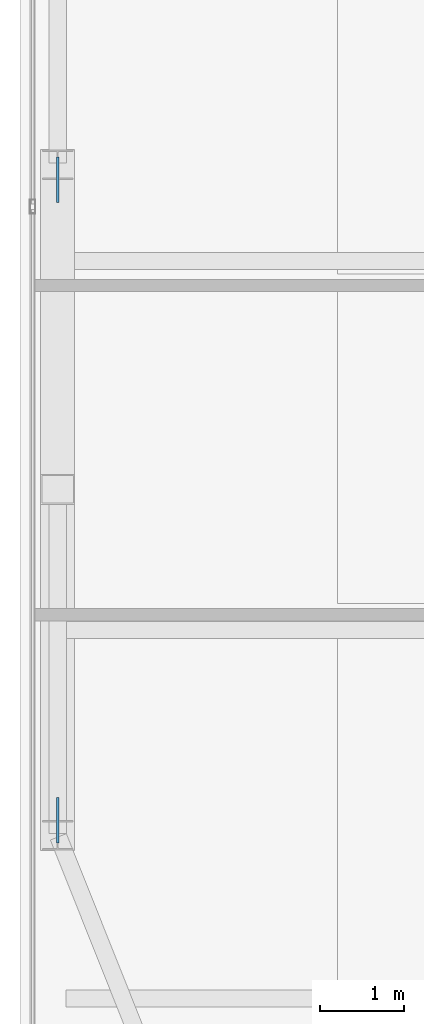
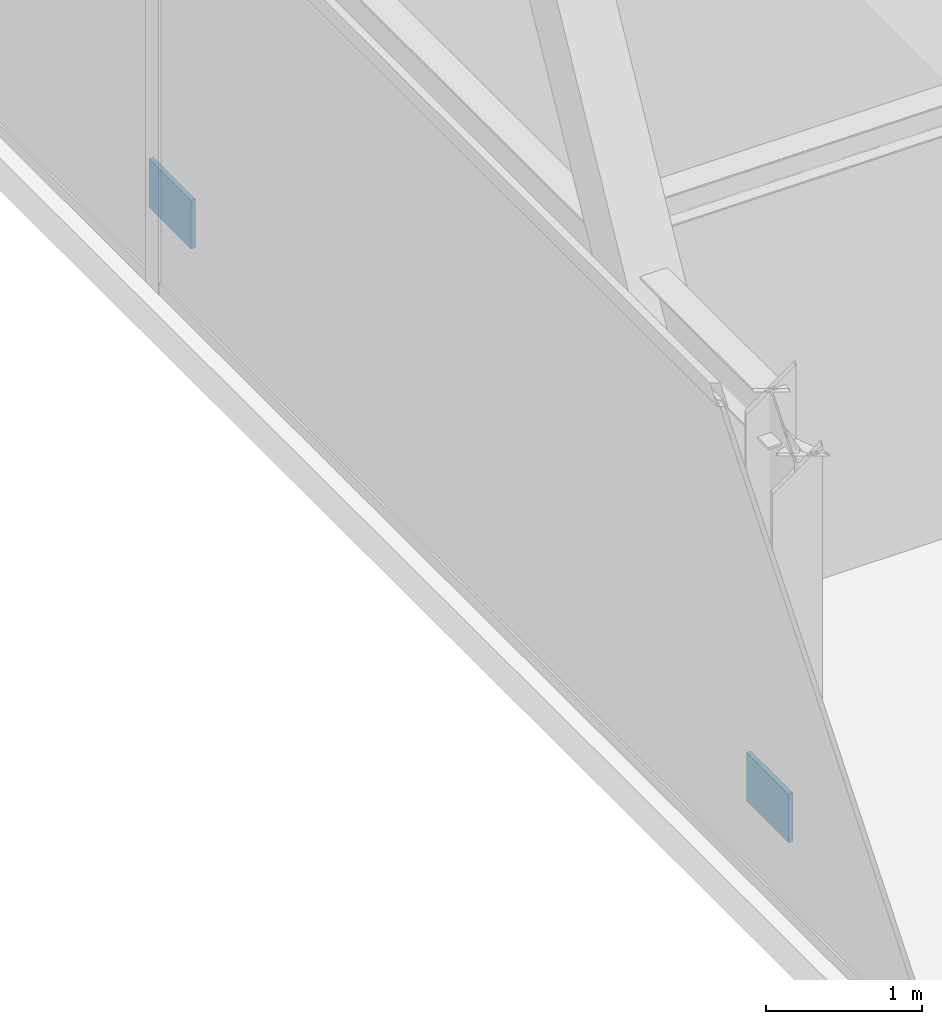
# One storey, part 25 of 31: 2 plates.
"""IFC4 building model written with IfcOpenShell, lengths in metres."""

from ifc_helpers import new_model, si_unit, direction, frame, origin, origin_2d, place, context, subcontext, project, spatial, rectangle, extrude, source, transform, mapped, material, layer, layer_set, type_object, type_shapes, element, save


model = new_model("IFC4")

# Units and contexts
model_context = context("Model", 3, precision=1e-05, world=origin(), true_north=direction((0.0, 1.0)))
body_context = subcontext(model_context, "Body", "Model", "MODEL_VIEW")
ifc_project = project(units=[si_unit("LENGTHUNIT", "METRE"), si_unit("AREAUNIT", "SQUARE_METRE"), si_unit("VOLUMEUNIT", "CUBIC_METRE"), si_unit("PLANEANGLEUNIT", "RADIAN"), si_unit("MASSUNIT", "GRAM", prefix="KILO")], contexts=[model_context])

# Site, building, storey
site_placement = place(None, origin())
site = spatial("IfcSite", under=ifc_project, at=site_placement, CompositionType="ELEMENT")
building_placement = place(site_placement, origin())
building = spatial("IfcBuilding", under=site, at=building_placement, Name="Varnel Quay Broadcast Tower", CompositionType="ELEMENT")
storey_placement = place(building_placement, frame((0.0, 0.0, 215.0)))
storey = spatial("IfcBuildingStorey", under=building, at=storey_placement, Name="L53", CompositionType="ELEMENT", Elevation=215.0)

# Plates
ifc_material = material(Name="Structural Steel CSA G40.21 350WT", Category="steel")
ifc_layer = layer(ifc_material, 0.031982421875, Name="Structural Steel CSA G40.21 350WT")
ifc_layer_set = layer_set([ifc_layer], Name="Structural Steel CSA G40.21 350WT")
plate_type = type_object("IfcPlateType", Name="Plate_EndCap", PredefinedType="USERDEFINED", material=ifc_layer_set)
shared_shape = source(origin(), body_context, "Body", "SweptSolid", [
    extrude(rectangle(XDim=0.5400390625, YDim=0.031982421875, at=origin_2d()), origin(), (0.0, 0.0, 1.0), 0.3798828125),
])
type_shapes(plate_type, [shared_shape])
for number, where, z_axis, x_axis, name in (
    (1, (9.949951171875, 21.1796875, 0.164794921875), (0.0, 0.0, 1.0), (0.0, 1.0, 0.0), "Zone 4 Mega-Brace W-FT2 Diag A End Connection Plate P0"),
    (2, (9.949951171875, 28.8203125, 0.164794921875), (0.0, 0.0, 1.0), (0.0, 1.0, 0.0), "Zone 4 Mega-Brace W-FT2 Diag B1 End Connection Plate P0"),
):
    element("IfcPlate", number, at=place(storey_placement, frame(where, z_axis=z_axis, x_axis=x_axis)), inside=storey, type_object=plate_type, Name=name, ObjectType="CAP_PLATE", PredefinedType="USERDEFINED", context=body_context, shape_type="MappedRepresentation", body=[
        mapped(shared_shape, transform((0.0, 0.0, 0.0), x_axis=(1.0, 0.0, 0.0), y_axis=(0.0, 1.0, 0.0), z_axis=(0.0, 0.0, 1.0), scale=1.0)),
    ])

save(model, "model.ifc")
